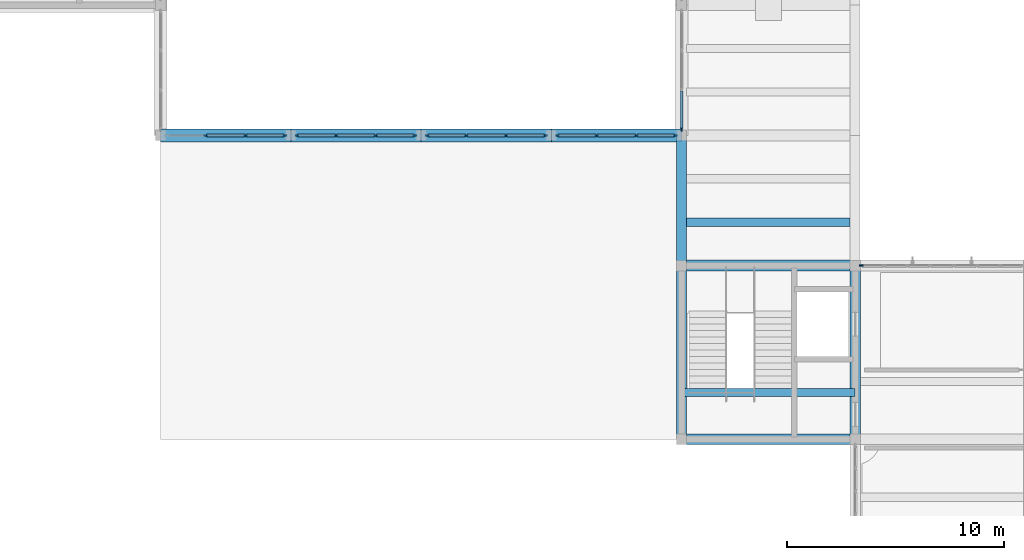
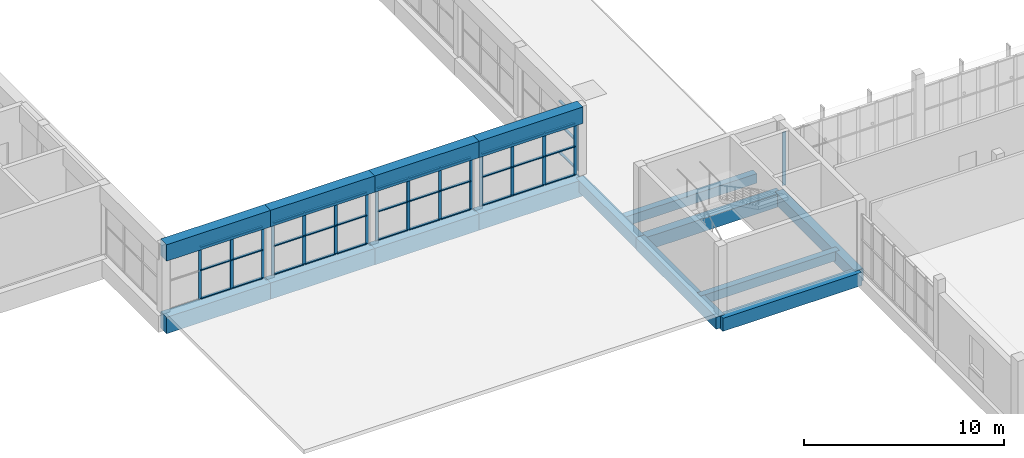
# One storey, part 6 of 70: 53 members, 15 beams, 6 elements without a shape of their own.
"""IFC4 building model written with IfcOpenShell, lengths in metres."""

from ifc_helpers import new_model, si_unit, direction, frame, origin, origin_2d, place, context, subcontext, project, spatial, rectangle, extrude, material, layer, layer_set, material_profile, profile_set, type_object, element, aggregate, save


model = new_model("IFC4")

# Units and contexts
model_context = context("Model", 3, precision=1e-05, world=origin(), true_north=direction((0.0, 1.0)))
body_context = subcontext(model_context, "Body", "Model", "MODEL_VIEW")
ifc_project = project(units=[si_unit("LENGTHUNIT", "METRE"), si_unit("AREAUNIT", "SQUARE_METRE"), si_unit("VOLUMEUNIT", "CUBIC_METRE"), si_unit("PLANEANGLEUNIT", "RADIAN"), si_unit("MASSUNIT", "GRAM", prefix="KILO")], contexts=[model_context])

# Site, building, storey
site_placement = place(None, origin())
site = spatial("IfcSite", under=ifc_project, at=site_placement, CompositionType="ELEMENT")
building_placement = place(site_placement, origin())
building = spatial("IfcBuilding", under=site, at=building_placement, Name="Solvane Community Centre", CompositionType="ELEMENT")
storey_placement = place(building_placement, frame((0.0, 0.0, 9.60009765625)))
storey = spatial("IfcBuildingStorey", under=building, at=storey_placement, Name="L02", CompositionType="ELEMENT", Elevation=9.60009765625)

# Curtain wall, member
ifc_material_1 = material(Name="Anodised bronze aluminium AW-6063 T6", Category="aluminium")
ifc_layer_1 = layer(ifc_material_1, 0.18994140625)
ifc_layer_set_1 = layer_set([ifc_layer_1], Name="Anodised bronze aluminium AW-6063 T6")
curtain_wall_type_1 = type_object("IfcCurtainWallType", Name="Boulevard Bronze Vision Curtain Wall [75x32dm]", PredefinedType="NOTDEFINED", material=ifc_layer_set_1)
curtain_wall_1_placement = place(storey_placement, origin())
curtain_wall_1 = element("IfcCurtainWall", 1, at=curtain_wall_1_placement, inside=storey, type_object=curtain_wall_type_1, Name="Curtain Wall CW-L02-683_300-192", PredefinedType="NOTDEFINED")
ifc_material_profile_1 = material_profile(ifc_material_1, rectangle(XDim=0.06005859375, YDim=0.18994140625, at=origin_2d()), Name="CW-M 60x190")
ifc_profile_set_1 = profile_set([ifc_material_profile_1], Name="Anodised bronze aluminium AW-6063 T6")
member_type_1 = type_object("IfcMemberType", Name="Boulevard Mullion 60x190", PredefinedType="MULLION", material=ifc_profile_set_1)
member_1_placement = place(storey_placement, frame((68.284912109375, 30.0, 0.0), z_axis=(0.0, 0.0, 1.0), x_axis=(0.0, 1.0, 0.0)))
member_1 = element("IfcMember", 2, at=member_1_placement, type_object=member_type_1, Name="CW02-75x32 mullion 1", PredefinedType="MULLION", context=body_context, shape_type="SweptSolid", body=[
    extrude(rectangle(XDim=0.06005859375, YDim=0.18994140625, at=origin_2d()), origin(), (0.0, 0.0, 1.0), 3.244873046875),
])
aggregate(curtain_wall_1, [member_1])

ifc_layer_2 = layer(ifc_material_1, 0.179931640625)
ifc_layer_set_2 = layer_set([ifc_layer_2], Name="Anodised bronze aluminium AW-6063 T6")
curtain_wall_type_2 = type_object("IfcCurtainWallType", Name="Hall Translucent Upper Curtain Wall [55x32dm]", PredefinedType="NOTDEFINED", material=ifc_layer_set_2)
curtain_wall_2_placement = place(storey_placement, origin())
curtain_wall_2 = element("IfcCurtainWall", 3, at=curtain_wall_2_placement, inside=storey, type_object=curtain_wall_type_2, Name="Curtain Wall CW-L02-600_363-136", PredefinedType="NOTDEFINED")
ifc_material_profile_2 = material_profile(ifc_material_1, rectangle(XDim=0.06005859375, YDim=0.179931640625, at=origin_2d()), Name="CW-M 60x180")
ifc_profile_set_2 = profile_set([ifc_material_profile_2], Name="Anodised bronze aluminium AW-6063 T6")
member_type_2 = type_object("IfcMemberType", Name="Hall Mullion 60x180", PredefinedType="MULLION", material=ifc_profile_set_2)
member_2_placement = place(storey_placement, frame((60.0, 36.284912109375, 0.0), z_axis=(0.0, 0.0, 1.0), x_axis=(-1.0, 0.0, 0.0)))
member_2 = element("IfcMember", 4, at=member_2_placement, type_object=member_type_2, Name="CW01-55x32 mullion 1", PredefinedType="MULLION", context=body_context, shape_type="SweptSolid", body=[
    extrude(rectangle(XDim=0.06005859375, YDim=0.179931640625, at=origin_2d()), origin(), (0.0, 0.0, 1.0), 3.184814453125),
])

# Curtain wall, members
curtain_wall_3_placement = place(storey_placement, origin())
curtain_wall_3 = element("IfcCurtainWall", 5, at=curtain_wall_3_placement, inside=storey, type_object=curtain_wall_type_2, Name="Curtain Wall CW-L02-597_360-150", PredefinedType="NOTDEFINED")
member_3_placement = place(storey_placement, frame((59.715087890625, 36.0, 0.0), z_axis=(0.0, 0.0, 1.0), x_axis=(0.0, -1.0, 0.0)))
member_3 = element("IfcMember", 6, at=member_3_placement, type_object=member_type_2, Name="CW01-55x32 mullion 1", PredefinedType="MULLION", context=body_context, shape_type="SweptSolid", body=[
    extrude(rectangle(XDim=0.06005859375, YDim=0.179931640625, at=origin_2d()), origin(), (0.0, 0.0, 1.0), 3.184814453125),
])
member_4_placement = place(storey_placement, frame((57.9150390625, 36.0, 0.0), z_axis=(0.0, 0.0, 1.0), x_axis=(0.0, -1.0, 0.0)))
member_4 = element("IfcMember", 7, at=member_4_placement, type_object=member_type_2, Name="CW01-55x32 mullion 2", PredefinedType="MULLION", context=body_context, shape_type="SweptSolid", body=[
    extrude(rectangle(XDim=0.06005859375, YDim=0.179931640625, at=origin_2d()), origin(), (0.0, 0.0, 1.0), 3.184814453125),
])
member_5_placement = place(storey_placement, frame((56.0849609375, 36.0, 0.0), z_axis=(0.0, 0.0, 1.0), x_axis=(0.0, -1.0, 0.0)))
member_5 = element("IfcMember", 8, at=member_5_placement, type_object=member_type_2, Name="CW01-55x32 mullion 3", PredefinedType="MULLION", context=body_context, shape_type="SweptSolid", body=[
    extrude(rectangle(XDim=0.06005859375, YDim=0.179931640625, at=origin_2d()), origin(), (0.0, 0.0, 1.0), 3.184814453125),
])
member_6_placement = place(storey_placement, frame((54.284912109375, 36.0, 0.0), z_axis=(0.0, 0.0, 1.0), x_axis=(0.0, -1.0, 0.0)))
member_6 = element("IfcMember", 9, at=member_6_placement, type_object=member_type_2, Name="CW01-55x32 mullion 4", PredefinedType="MULLION", context=body_context, shape_type="SweptSolid", body=[
    extrude(rectangle(XDim=0.06005859375, YDim=0.179931640625, at=origin_2d()), origin(), (0.0, 0.0, 1.0), 3.184814453125),
])

curtain_wall_4_placement = place(storey_placement, origin())
curtain_wall_4 = element("IfcCurtainWall", 10, at=curtain_wall_4_placement, inside=storey, type_object=curtain_wall_type_2, Name="Curtain Wall CW-L02-537_360-151", PredefinedType="NOTDEFINED")
member_7_placement = place(storey_placement, frame((53.715087890625, 36.0, 0.0), z_axis=(0.0, 0.0, 1.0), x_axis=(0.0, -1.0, 0.0)))
member_7 = element("IfcMember", 11, at=member_7_placement, type_object=member_type_2, Name="CW01-55x32 mullion 1", PredefinedType="MULLION", context=body_context, shape_type="SweptSolid", body=[
    extrude(rectangle(XDim=0.06005859375, YDim=0.179931640625, at=origin_2d()), origin(), (0.0, 0.0, 1.0), 3.184814453125),
])
member_8_placement = place(storey_placement, frame((51.9150390625, 36.0, 0.0), z_axis=(0.0, 0.0, 1.0), x_axis=(0.0, -1.0, 0.0)))
member_8 = element("IfcMember", 12, at=member_8_placement, type_object=member_type_2, Name="CW01-55x32 mullion 2", PredefinedType="MULLION", context=body_context, shape_type="SweptSolid", body=[
    extrude(rectangle(XDim=0.06005859375, YDim=0.179931640625, at=origin_2d()), origin(), (0.0, 0.0, 1.0), 3.184814453125),
])
member_9_placement = place(storey_placement, frame((50.0849609375, 36.0, 0.0), z_axis=(0.0, 0.0, 1.0), x_axis=(0.0, -1.0, 0.0)))
member_9 = element("IfcMember", 13, at=member_9_placement, type_object=member_type_2, Name="CW01-55x32 mullion 3", PredefinedType="MULLION", context=body_context, shape_type="SweptSolid", body=[
    extrude(rectangle(XDim=0.06005859375, YDim=0.179931640625, at=origin_2d()), origin(), (0.0, 0.0, 1.0), 3.184814453125),
])
member_10_placement = place(storey_placement, frame((48.284912109375, 36.0, 0.0), z_axis=(0.0, 0.0, 1.0), x_axis=(0.0, -1.0, 0.0)))
member_10 = element("IfcMember", 14, at=member_10_placement, type_object=member_type_2, Name="CW01-55x32 mullion 4", PredefinedType="MULLION", context=body_context, shape_type="SweptSolid", body=[
    extrude(rectangle(XDim=0.06005859375, YDim=0.179931640625, at=origin_2d()), origin(), (0.0, 0.0, 1.0), 3.184814453125),
])

curtain_wall_5_placement = place(storey_placement, origin())
curtain_wall_5 = element("IfcCurtainWall", 15, at=curtain_wall_5_placement, inside=storey, type_object=curtain_wall_type_2, Name="Curtain Wall CW-L02-477_360-152", PredefinedType="NOTDEFINED")
member_11_placement = place(storey_placement, frame((47.715087890625, 36.0, 0.0), z_axis=(0.0, 0.0, 1.0), x_axis=(0.0, -1.0, 0.0)))
member_11 = element("IfcMember", 16, at=member_11_placement, type_object=member_type_2, Name="CW01-55x32 mullion 1", PredefinedType="MULLION", context=body_context, shape_type="SweptSolid", body=[
    extrude(rectangle(XDim=0.06005859375, YDim=0.179931640625, at=origin_2d()), origin(), (0.0, 0.0, 1.0), 3.184814453125),
])
member_12_placement = place(storey_placement, frame((45.9150390625, 36.0, 0.0), z_axis=(0.0, 0.0, 1.0), x_axis=(0.0, -1.0, 0.0)))
member_12 = element("IfcMember", 17, at=member_12_placement, type_object=member_type_2, Name="CW01-55x32 mullion 2", PredefinedType="MULLION", context=body_context, shape_type="SweptSolid", body=[
    extrude(rectangle(XDim=0.06005859375, YDim=0.179931640625, at=origin_2d()), origin(), (0.0, 0.0, 1.0), 3.184814453125),
])
member_13_placement = place(storey_placement, frame((44.0849609375, 36.0, 0.0), z_axis=(0.0, 0.0, 1.0), x_axis=(0.0, -1.0, 0.0)))
member_13 = element("IfcMember", 18, at=member_13_placement, type_object=member_type_2, Name="CW01-55x32 mullion 3", PredefinedType="MULLION", context=body_context, shape_type="SweptSolid", body=[
    extrude(rectangle(XDim=0.06005859375, YDim=0.179931640625, at=origin_2d()), origin(), (0.0, 0.0, 1.0), 3.184814453125),
])
member_14_placement = place(storey_placement, frame((42.284912109375, 36.0, 0.0), z_axis=(0.0, 0.0, 1.0), x_axis=(0.0, -1.0, 0.0)))
member_14 = element("IfcMember", 19, at=member_14_placement, type_object=member_type_2, Name="CW01-55x32 mullion 4", PredefinedType="MULLION", context=body_context, shape_type="SweptSolid", body=[
    extrude(rectangle(XDim=0.06005859375, YDim=0.179931640625, at=origin_2d()), origin(), (0.0, 0.0, 1.0), 3.184814453125),
])

curtain_wall_6_placement = place(storey_placement, origin())
curtain_wall_6 = element("IfcCurtainWall", 20, at=curtain_wall_6_placement, inside=storey, type_object=curtain_wall_type_2, Name="Curtain Wall CW-L02-417_360-153", PredefinedType="NOTDEFINED")
member_15_placement = place(storey_placement, frame((41.715087890625, 36.0, 0.0), z_axis=(0.0, 0.0, 1.0), x_axis=(0.0, -1.0, 0.0)))
member_15 = element("IfcMember", 21, at=member_15_placement, type_object=member_type_2, Name="CW01-55x32 mullion 1", PredefinedType="MULLION", context=body_context, shape_type="SweptSolid", body=[
    extrude(rectangle(XDim=0.06005859375, YDim=0.179931640625, at=origin_2d()), origin(), (0.0, 0.0, 1.0), 3.184814453125),
])
member_16_placement = place(storey_placement, frame((39.9150390625, 36.0, 0.0), z_axis=(0.0, 0.0, 1.0), x_axis=(0.0, -1.0, 0.0)))
member_16 = element("IfcMember", 22, at=member_16_placement, type_object=member_type_2, Name="CW01-55x32 mullion 2", PredefinedType="MULLION", context=body_context, shape_type="SweptSolid", body=[
    extrude(rectangle(XDim=0.06005859375, YDim=0.179931640625, at=origin_2d()), origin(), (0.0, 0.0, 1.0), 3.184814453125),
])
member_17_placement = place(storey_placement, frame((38.0849609375, 36.0, 0.0), z_axis=(0.0, 0.0, 1.0), x_axis=(0.0, -1.0, 0.0)))
member_17 = element("IfcMember", 23, at=member_17_placement, type_object=member_type_2, Name="CW01-55x32 mullion 3", PredefinedType="MULLION", context=body_context, shape_type="SweptSolid", body=[
    extrude(rectangle(XDim=0.06005859375, YDim=0.179931640625, at=origin_2d()), origin(), (0.0, 0.0, 1.0), 3.184814453125),
])

# Member
ifc_material_profile_3 = material_profile(ifc_material_1, rectangle(XDim=0.139892578125, YDim=0.06005859375, at=origin_2d()), Name="CW-T 60x140")
ifc_profile_set_3 = profile_set([ifc_material_profile_3], Name="Anodised bronze aluminium AW-6063 T6")
member_type_3 = type_object("IfcMemberType", Name="Hall Transom 60x140", PredefinedType="USERDEFINED", material=ifc_profile_set_3)
member_18_placement = place(storey_placement, frame((60.0, 36.31494140625, 0.02978515625), z_axis=(0.0, 1.0, 0.0), x_axis=(-1.0, 0.0, 0.0)))
member_18 = element("IfcMember", 24, at=member_18_placement, type_object=member_type_3, Name="CW01-55x32 transom 1.1", ObjectType="TRANSOM", PredefinedType="USERDEFINED", context=body_context, shape_type="SweptSolid", body=[
    extrude(rectangle(XDim=0.139892578125, YDim=0.06005859375, at=origin_2d()), origin(), (0.0, 0.0, 1.0), 1.739990234375),
])

member_19_placement = place(storey_placement, frame((60.0, 36.31494140625, 1.751953125), z_axis=(0.0, 1.0, 0.0), x_axis=(-1.0, 0.0, 0.0)))
member_19 = element("IfcMember", 25, at=member_19_placement, type_object=member_type_3, Name="CW01-55x32 transom 1.2", ObjectType="TRANSOM", PredefinedType="USERDEFINED", context=body_context, shape_type="SweptSolid", body=[
    extrude(rectangle(XDim=0.139892578125, YDim=0.06005859375, at=origin_2d()), origin(), (0.0, 0.0, 1.0), 1.739990234375),
])

member_20_placement = place(storey_placement, frame((60.0, 36.31494140625, 3.15478515625), z_axis=(0.0, 1.0, 0.0), x_axis=(-1.0, 0.0, 0.0)))
member_20 = element("IfcMember", 26, at=member_20_placement, type_object=member_type_3, Name="CW01-55x32 transom 1.3", ObjectType="TRANSOM", PredefinedType="USERDEFINED", context=body_context, shape_type="SweptSolid", body=[
    extrude(rectangle(XDim=0.139892578125, YDim=0.06005859375, at=origin_2d()), origin(), (0.0, 0.0, 1.0), 1.739990234375),
])

aggregate(curtain_wall_2, [member_2, member_18, member_19, member_20])

member_21_placement = place(storey_placement, frame((59.68505859375, 36.0, 0.02978515625), z_axis=(-1.0, 0.0, 0.0), x_axis=(0.0, -1.0, 0.0)))
member_21 = element("IfcMember", 27, at=member_21_placement, type_object=member_type_3, Name="CW01-55x32 transom 1.1", ObjectType="TRANSOM", PredefinedType="USERDEFINED", context=body_context, shape_type="SweptSolid", body=[
    extrude(rectangle(XDim=0.139892578125, YDim=0.06005859375, at=origin_2d()), origin(), (0.0, 0.0, 1.0), 1.739990234375),
])

member_22_placement = place(storey_placement, frame((59.68505859375, 36.0, 1.751953125), z_axis=(-1.0, 0.0, 0.0), x_axis=(0.0, -1.0, 0.0)))
member_22 = element("IfcMember", 28, at=member_22_placement, type_object=member_type_3, Name="CW01-55x32 transom 1.2", ObjectType="TRANSOM", PredefinedType="USERDEFINED", context=body_context, shape_type="SweptSolid", body=[
    extrude(rectangle(XDim=0.139892578125, YDim=0.06005859375, at=origin_2d()), origin(), (0.0, 0.0, 1.0), 1.739990234375),
])

member_23_placement = place(storey_placement, frame((59.68505859375, 36.0, 3.15478515625), z_axis=(-1.0, 0.0, 0.0), x_axis=(0.0, -1.0, 0.0)))
member_23 = element("IfcMember", 29, at=member_23_placement, type_object=member_type_3, Name="CW01-55x32 transom 1.3", ObjectType="TRANSOM", PredefinedType="USERDEFINED", context=body_context, shape_type="SweptSolid", body=[
    extrude(rectangle(XDim=0.139892578125, YDim=0.06005859375, at=origin_2d()), origin(), (0.0, 0.0, 1.0), 1.739990234375),
])

member_24_placement = place(storey_placement, frame((57.885009765625, 36.0, 0.02978515625), z_axis=(-1.0, 0.0, 0.0), x_axis=(0.0, -1.0, 0.0)))
member_24 = element("IfcMember", 30, at=member_24_placement, type_object=member_type_3, Name="CW01-55x32 transom 2.1", ObjectType="TRANSOM", PredefinedType="USERDEFINED", context=body_context, shape_type="SweptSolid", body=[
    extrude(rectangle(XDim=0.139892578125, YDim=0.06005859375, at=origin_2d()), origin(), (0.0, 0.0, 1.0), 1.77001953125),
])

member_25_placement = place(storey_placement, frame((57.885009765625, 36.0, 1.751953125), z_axis=(-1.0, 0.0, 0.0), x_axis=(0.0, -1.0, 0.0)))
member_25 = element("IfcMember", 31, at=member_25_placement, type_object=member_type_3, Name="CW01-55x32 transom 2.2", ObjectType="TRANSOM", PredefinedType="USERDEFINED", context=body_context, shape_type="SweptSolid", body=[
    extrude(rectangle(XDim=0.139892578125, YDim=0.06005859375, at=origin_2d()), origin(), (0.0, 0.0, 1.0), 1.77001953125),
])

member_26_placement = place(storey_placement, frame((57.885009765625, 36.0, 3.15478515625), z_axis=(-1.0, 0.0, 0.0), x_axis=(0.0, -1.0, 0.0)))
member_26 = element("IfcMember", 32, at=member_26_placement, type_object=member_type_3, Name="CW01-55x32 transom 2.3", ObjectType="TRANSOM", PredefinedType="USERDEFINED", context=body_context, shape_type="SweptSolid", body=[
    extrude(rectangle(XDim=0.139892578125, YDim=0.06005859375, at=origin_2d()), origin(), (0.0, 0.0, 1.0), 1.77001953125),
])

member_27_placement = place(storey_placement, frame((56.054931640625, 36.0, 0.02978515625), z_axis=(-1.0, 0.0, 0.0), x_axis=(0.0, -1.0, 0.0)))
member_27 = element("IfcMember", 33, at=member_27_placement, type_object=member_type_3, Name="CW01-55x32 transom 3.1", ObjectType="TRANSOM", PredefinedType="USERDEFINED", context=body_context, shape_type="SweptSolid", body=[
    extrude(rectangle(XDim=0.139892578125, YDim=0.06005859375, at=origin_2d()), origin(), (0.0, 0.0, 1.0), 1.739990234375),
])

member_28_placement = place(storey_placement, frame((56.054931640625, 36.0, 1.751953125), z_axis=(-1.0, 0.0, 0.0), x_axis=(0.0, -1.0, 0.0)))
member_28 = element("IfcMember", 34, at=member_28_placement, type_object=member_type_3, Name="CW01-55x32 transom 3.2", ObjectType="TRANSOM", PredefinedType="USERDEFINED", context=body_context, shape_type="SweptSolid", body=[
    extrude(rectangle(XDim=0.139892578125, YDim=0.06005859375, at=origin_2d()), origin(), (0.0, 0.0, 1.0), 1.739990234375),
])

member_29_placement = place(storey_placement, frame((56.054931640625, 36.0, 3.15478515625), z_axis=(-1.0, 0.0, 0.0), x_axis=(0.0, -1.0, 0.0)))
member_29 = element("IfcMember", 35, at=member_29_placement, type_object=member_type_3, Name="CW01-55x32 transom 3.3", ObjectType="TRANSOM", PredefinedType="USERDEFINED", context=body_context, shape_type="SweptSolid", body=[
    extrude(rectangle(XDim=0.139892578125, YDim=0.06005859375, at=origin_2d()), origin(), (0.0, 0.0, 1.0), 1.739990234375),
])

aggregate(curtain_wall_3, [member_3, member_4, member_5, member_6, member_21, member_22, member_23, member_24, member_25, member_26, member_27, member_28, member_29])

member_30_placement = place(storey_placement, frame((53.68505859375, 36.0, 0.02978515625), z_axis=(-1.0, 0.0, 0.0), x_axis=(0.0, -1.0, 0.0)))
member_30 = element("IfcMember", 36, at=member_30_placement, type_object=member_type_3, Name="CW01-55x32 transom 1.1", ObjectType="TRANSOM", PredefinedType="USERDEFINED", context=body_context, shape_type="SweptSolid", body=[
    extrude(rectangle(XDim=0.139892578125, YDim=0.06005859375, at=origin_2d()), origin(), (0.0, 0.0, 1.0), 1.739990234375),
])

member_31_placement = place(storey_placement, frame((53.68505859375, 36.0, 1.751953125), z_axis=(-1.0, 0.0, 0.0), x_axis=(0.0, -1.0, 0.0)))
member_31 = element("IfcMember", 37, at=member_31_placement, type_object=member_type_3, Name="CW01-55x32 transom 1.2", ObjectType="TRANSOM", PredefinedType="USERDEFINED", context=body_context, shape_type="SweptSolid", body=[
    extrude(rectangle(XDim=0.139892578125, YDim=0.06005859375, at=origin_2d()), origin(), (0.0, 0.0, 1.0), 1.739990234375),
])

member_32_placement = place(storey_placement, frame((53.68505859375, 36.0, 3.15478515625), z_axis=(-1.0, 0.0, 0.0), x_axis=(0.0, -1.0, 0.0)))
member_32 = element("IfcMember", 38, at=member_32_placement, type_object=member_type_3, Name="CW01-55x32 transom 1.3", ObjectType="TRANSOM", PredefinedType="USERDEFINED", context=body_context, shape_type="SweptSolid", body=[
    extrude(rectangle(XDim=0.139892578125, YDim=0.06005859375, at=origin_2d()), origin(), (0.0, 0.0, 1.0), 1.739990234375),
])

member_33_placement = place(storey_placement, frame((51.885009765625, 36.0, 0.02978515625), z_axis=(-1.0, 0.0, 0.0), x_axis=(0.0, -1.0, 0.0)))
member_33 = element("IfcMember", 39, at=member_33_placement, type_object=member_type_3, Name="CW01-55x32 transom 2.1", ObjectType="TRANSOM", PredefinedType="USERDEFINED", context=body_context, shape_type="SweptSolid", body=[
    extrude(rectangle(XDim=0.139892578125, YDim=0.06005859375, at=origin_2d()), origin(), (0.0, 0.0, 1.0), 1.77001953125),
])

member_34_placement = place(storey_placement, frame((51.885009765625, 36.0, 1.751953125), z_axis=(-1.0, 0.0, 0.0), x_axis=(0.0, -1.0, 0.0)))
member_34 = element("IfcMember", 40, at=member_34_placement, type_object=member_type_3, Name="CW01-55x32 transom 2.2", ObjectType="TRANSOM", PredefinedType="USERDEFINED", context=body_context, shape_type="SweptSolid", body=[
    extrude(rectangle(XDim=0.139892578125, YDim=0.06005859375, at=origin_2d()), origin(), (0.0, 0.0, 1.0), 1.77001953125),
])

member_35_placement = place(storey_placement, frame((51.885009765625, 36.0, 3.15478515625), z_axis=(-1.0, 0.0, 0.0), x_axis=(0.0, -1.0, 0.0)))
member_35 = element("IfcMember", 41, at=member_35_placement, type_object=member_type_3, Name="CW01-55x32 transom 2.3", ObjectType="TRANSOM", PredefinedType="USERDEFINED", context=body_context, shape_type="SweptSolid", body=[
    extrude(rectangle(XDim=0.139892578125, YDim=0.06005859375, at=origin_2d()), origin(), (0.0, 0.0, 1.0), 1.77001953125),
])

member_36_placement = place(storey_placement, frame((50.054931640625, 36.0, 0.02978515625), z_axis=(-1.0, 0.0, 0.0), x_axis=(0.0, -1.0, 0.0)))
member_36 = element("IfcMember", 42, at=member_36_placement, type_object=member_type_3, Name="CW01-55x32 transom 3.1", ObjectType="TRANSOM", PredefinedType="USERDEFINED", context=body_context, shape_type="SweptSolid", body=[
    extrude(rectangle(XDim=0.139892578125, YDim=0.06005859375, at=origin_2d()), origin(), (0.0, 0.0, 1.0), 1.739990234375),
])

member_37_placement = place(storey_placement, frame((50.054931640625, 36.0, 1.751953125), z_axis=(-1.0, 0.0, 0.0), x_axis=(0.0, -1.0, 0.0)))
member_37 = element("IfcMember", 43, at=member_37_placement, type_object=member_type_3, Name="CW01-55x32 transom 3.2", ObjectType="TRANSOM", PredefinedType="USERDEFINED", context=body_context, shape_type="SweptSolid", body=[
    extrude(rectangle(XDim=0.139892578125, YDim=0.06005859375, at=origin_2d()), origin(), (0.0, 0.0, 1.0), 1.739990234375),
])

member_38_placement = place(storey_placement, frame((50.054931640625, 36.0, 3.15478515625), z_axis=(-1.0, 0.0, 0.0), x_axis=(0.0, -1.0, 0.0)))
member_38 = element("IfcMember", 44, at=member_38_placement, type_object=member_type_3, Name="CW01-55x32 transom 3.3", ObjectType="TRANSOM", PredefinedType="USERDEFINED", context=body_context, shape_type="SweptSolid", body=[
    extrude(rectangle(XDim=0.139892578125, YDim=0.06005859375, at=origin_2d()), origin(), (0.0, 0.0, 1.0), 1.739990234375),
])

aggregate(curtain_wall_4, [member_7, member_8, member_9, member_10, member_30, member_31, member_32, member_33, member_34, member_35, member_36, member_37, member_38])

member_39_placement = place(storey_placement, frame((47.68505859375, 36.0, 0.02978515625), z_axis=(-1.0, 0.0, 0.0), x_axis=(0.0, -1.0, 0.0)))
member_39 = element("IfcMember", 45, at=member_39_placement, type_object=member_type_3, Name="CW01-55x32 transom 1.1", ObjectType="TRANSOM", PredefinedType="USERDEFINED", context=body_context, shape_type="SweptSolid", body=[
    extrude(rectangle(XDim=0.139892578125, YDim=0.06005859375, at=origin_2d()), origin(), (0.0, 0.0, 1.0), 1.739990234375),
])

member_40_placement = place(storey_placement, frame((47.68505859375, 36.0, 1.751953125), z_axis=(-1.0, 0.0, 0.0), x_axis=(0.0, -1.0, 0.0)))
member_40 = element("IfcMember", 46, at=member_40_placement, type_object=member_type_3, Name="CW01-55x32 transom 1.2", ObjectType="TRANSOM", PredefinedType="USERDEFINED", context=body_context, shape_type="SweptSolid", body=[
    extrude(rectangle(XDim=0.139892578125, YDim=0.06005859375, at=origin_2d()), origin(), (0.0, 0.0, 1.0), 1.739990234375),
])

member_41_placement = place(storey_placement, frame((47.68505859375, 36.0, 3.15478515625), z_axis=(-1.0, 0.0, 0.0), x_axis=(0.0, -1.0, 0.0)))
member_41 = element("IfcMember", 47, at=member_41_placement, type_object=member_type_3, Name="CW01-55x32 transom 1.3", ObjectType="TRANSOM", PredefinedType="USERDEFINED", context=body_context, shape_type="SweptSolid", body=[
    extrude(rectangle(XDim=0.139892578125, YDim=0.06005859375, at=origin_2d()), origin(), (0.0, 0.0, 1.0), 1.739990234375),
])

member_42_placement = place(storey_placement, frame((45.885009765625, 36.0, 0.02978515625), z_axis=(-1.0, 0.0, 0.0), x_axis=(0.0, -1.0, 0.0)))
member_42 = element("IfcMember", 48, at=member_42_placement, type_object=member_type_3, Name="CW01-55x32 transom 2.1", ObjectType="TRANSOM", PredefinedType="USERDEFINED", context=body_context, shape_type="SweptSolid", body=[
    extrude(rectangle(XDim=0.139892578125, YDim=0.06005859375, at=origin_2d()), origin(), (0.0, 0.0, 1.0), 1.77001953125),
])

member_43_placement = place(storey_placement, frame((45.885009765625, 36.0, 1.751953125), z_axis=(-1.0, 0.0, 0.0), x_axis=(0.0, -1.0, 0.0)))
member_43 = element("IfcMember", 49, at=member_43_placement, type_object=member_type_3, Name="CW01-55x32 transom 2.2", ObjectType="TRANSOM", PredefinedType="USERDEFINED", context=body_context, shape_type="SweptSolid", body=[
    extrude(rectangle(XDim=0.139892578125, YDim=0.06005859375, at=origin_2d()), origin(), (0.0, 0.0, 1.0), 1.77001953125),
])

member_44_placement = place(storey_placement, frame((45.885009765625, 36.0, 3.15478515625), z_axis=(-1.0, 0.0, 0.0), x_axis=(0.0, -1.0, 0.0)))
member_44 = element("IfcMember", 50, at=member_44_placement, type_object=member_type_3, Name="CW01-55x32 transom 2.3", ObjectType="TRANSOM", PredefinedType="USERDEFINED", context=body_context, shape_type="SweptSolid", body=[
    extrude(rectangle(XDim=0.139892578125, YDim=0.06005859375, at=origin_2d()), origin(), (0.0, 0.0, 1.0), 1.77001953125),
])

member_45_placement = place(storey_placement, frame((44.054931640625, 36.0, 0.02978515625), z_axis=(-1.0, 0.0, 0.0), x_axis=(0.0, -1.0, 0.0)))
member_45 = element("IfcMember", 51, at=member_45_placement, type_object=member_type_3, Name="CW01-55x32 transom 3.1", ObjectType="TRANSOM", PredefinedType="USERDEFINED", context=body_context, shape_type="SweptSolid", body=[
    extrude(rectangle(XDim=0.139892578125, YDim=0.06005859375, at=origin_2d()), origin(), (0.0, 0.0, 1.0), 1.739990234375),
])

member_46_placement = place(storey_placement, frame((44.054931640625, 36.0, 1.751953125), z_axis=(-1.0, 0.0, 0.0), x_axis=(0.0, -1.0, 0.0)))
member_46 = element("IfcMember", 52, at=member_46_placement, type_object=member_type_3, Name="CW01-55x32 transom 3.2", ObjectType="TRANSOM", PredefinedType="USERDEFINED", context=body_context, shape_type="SweptSolid", body=[
    extrude(rectangle(XDim=0.139892578125, YDim=0.06005859375, at=origin_2d()), origin(), (0.0, 0.0, 1.0), 1.739990234375),
])

member_47_placement = place(storey_placement, frame((44.054931640625, 36.0, 3.15478515625), z_axis=(-1.0, 0.0, 0.0), x_axis=(0.0, -1.0, 0.0)))
member_47 = element("IfcMember", 53, at=member_47_placement, type_object=member_type_3, Name="CW01-55x32 transom 3.3", ObjectType="TRANSOM", PredefinedType="USERDEFINED", context=body_context, shape_type="SweptSolid", body=[
    extrude(rectangle(XDim=0.139892578125, YDim=0.06005859375, at=origin_2d()), origin(), (0.0, 0.0, 1.0), 1.739990234375),
])

aggregate(curtain_wall_5, [member_11, member_12, member_13, member_14, member_39, member_40, member_41, member_42, member_43, member_44, member_45, member_46, member_47])

member_48_placement = place(storey_placement, frame((41.68505859375, 36.0, 0.02978515625), z_axis=(-1.0, 0.0, 0.0), x_axis=(0.0, -1.0, 0.0)))
member_48 = element("IfcMember", 54, at=member_48_placement, type_object=member_type_3, Name="CW01-55x32 transom 1.1", ObjectType="TRANSOM", PredefinedType="USERDEFINED", context=body_context, shape_type="SweptSolid", body=[
    extrude(rectangle(XDim=0.139892578125, YDim=0.06005859375, at=origin_2d()), origin(), (0.0, 0.0, 1.0), 1.739990234375),
])

member_49_placement = place(storey_placement, frame((41.68505859375, 36.0, 1.751953125), z_axis=(-1.0, 0.0, 0.0), x_axis=(0.0, -1.0, 0.0)))
member_49 = element("IfcMember", 55, at=member_49_placement, type_object=member_type_3, Name="CW01-55x32 transom 1.2", ObjectType="TRANSOM", PredefinedType="USERDEFINED", context=body_context, shape_type="SweptSolid", body=[
    extrude(rectangle(XDim=0.139892578125, YDim=0.06005859375, at=origin_2d()), origin(), (0.0, 0.0, 1.0), 1.739990234375),
])

member_50_placement = place(storey_placement, frame((41.68505859375, 36.0, 3.15478515625), z_axis=(-1.0, 0.0, 0.0), x_axis=(0.0, -1.0, 0.0)))
member_50 = element("IfcMember", 56, at=member_50_placement, type_object=member_type_3, Name="CW01-55x32 transom 1.3", ObjectType="TRANSOM", PredefinedType="USERDEFINED", context=body_context, shape_type="SweptSolid", body=[
    extrude(rectangle(XDim=0.139892578125, YDim=0.06005859375, at=origin_2d()), origin(), (0.0, 0.0, 1.0), 1.739990234375),
])

member_51_placement = place(storey_placement, frame((39.885009765625, 36.0, 0.02978515625), z_axis=(-1.0, 0.0, 0.0), x_axis=(0.0, -1.0, 0.0)))
member_51 = element("IfcMember", 57, at=member_51_placement, type_object=member_type_3, Name="CW01-55x32 transom 2.1", ObjectType="TRANSOM", PredefinedType="USERDEFINED", context=body_context, shape_type="SweptSolid", body=[
    extrude(rectangle(XDim=0.139892578125, YDim=0.06005859375, at=origin_2d()), origin(), (0.0, 0.0, 1.0), 1.77001953125),
])

member_52_placement = place(storey_placement, frame((39.885009765625, 36.0, 1.751953125), z_axis=(-1.0, 0.0, 0.0), x_axis=(0.0, -1.0, 0.0)))
member_52 = element("IfcMember", 58, at=member_52_placement, type_object=member_type_3, Name="CW01-55x32 transom 2.2", ObjectType="TRANSOM", PredefinedType="USERDEFINED", context=body_context, shape_type="SweptSolid", body=[
    extrude(rectangle(XDim=0.139892578125, YDim=0.06005859375, at=origin_2d()), origin(), (0.0, 0.0, 1.0), 1.77001953125),
])

member_53_placement = place(storey_placement, frame((39.885009765625, 36.0, 3.15478515625), z_axis=(-1.0, 0.0, 0.0), x_axis=(0.0, -1.0, 0.0)))
member_53 = element("IfcMember", 59, at=member_53_placement, type_object=member_type_3, Name="CW01-55x32 transom 2.3", ObjectType="TRANSOM", PredefinedType="USERDEFINED", context=body_context, shape_type="SweptSolid", body=[
    extrude(rectangle(XDim=0.139892578125, YDim=0.06005859375, at=origin_2d()), origin(), (0.0, 0.0, 1.0), 1.77001953125),
])

aggregate(curtain_wall_6, [member_15, member_16, member_17, member_48, member_49, member_50, member_51, member_52, member_53])

# Beams
ifc_material_2 = material(Name="Concrete C35/45", Category="concrete")
ifc_material_profile_4 = material_profile(ifc_material_2, rectangle(XDim=0.47998046875, YDim=0.739990234375, at=origin_2d()), Name="RC 480x740")
ifc_profile_set_4 = profile_set([ifc_material_profile_4], Name="Concrete C35/45")
beam_type_1 = type_object("IfcBeamType", Name="RC Bay Beam 480x740", PredefinedType="BEAM", material=ifc_profile_set_4)
for number, where, z_axis, x_axis, name in (
    (60, (60.0, 22.0, -0.590087890625), (0.0, 1.0, 0.0), (-1.0, 0.0, 0.0), "Beam BM-L02-600_220-600_300"),
    (61, (68.0, 22.0, -0.590087890625), (0.0, 1.0, 0.0), (-1.0, 0.0, 0.0), "Beam BM-L02-680_220-680_300"),
):
    element("IfcBeam", number, at=place(storey_placement, frame(where, z_axis=z_axis, x_axis=x_axis)), inside=storey, type_object=beam_type_1, Name=name, PredefinedType="BEAM", context=body_context, shape_type="SweptSolid", body=[
        extrude(rectangle(XDim=0.47998046875, YDim=0.739990234375, at=origin_2d()), origin(), (0.0, 0.0, 1.0), 8.0),
    ])
ifc_material_profile_5 = material_profile(ifc_material_2, rectangle(XDim=0.4599609375, YDim=0.719970703125, at=origin_2d()), Name="RC 460x720")
ifc_profile_set_5 = profile_set([ifc_material_profile_5], Name="Concrete C35/45")
beam_type_2 = type_object("IfcBeamType", Name="RC Cloister Beam 460x720", PredefinedType="BEAM", material=ifc_profile_set_5)
beam_1_placement = place(storey_placement, frame((60.0, 30.0, -0.580078125), z_axis=(0.0, 1.0, 0.0), x_axis=(-1.0, 0.0, 0.0)))
element("IfcBeam", 62, at=beam_1_placement, inside=storey, type_object=beam_type_2, Name="Beam BM-L02-600_300-600_360", PredefinedType="BEAM", context=body_context, shape_type="SweptSolid", body=[
    extrude(rectangle(XDim=0.4599609375, YDim=0.719970703125, at=origin_2d()), origin(), (0.0, 0.0, 1.0), 6.0),
])
ifc_material_profile_6 = material_profile(ifc_material_2, rectangle(XDim=0.5, YDim=0.800048828125, at=origin_2d()), Name="RC 500x800")
ifc_profile_set_6 = profile_set([ifc_material_profile_6], Name="Concrete C35/45")
beam_type_3 = type_object("IfcBeamType", Name="RC Primary Girder 500x800", PredefinedType="USERDEFINED", material=ifc_profile_set_6)
for number, where, z_axis, x_axis, name in (
    (63, (60.0, 22.0, -0.6201171875), (1.0, 0.0, 0.0), (0.0, 1.0, 0.0), "Beam BM-L02-600_220-680_220"),
    (64, (60.0, 30.0, -0.6201171875), (1.0, 0.0, 0.0), (0.0, 1.0, 0.0), "Beam BM-L02-600_300-680_300"),
):
    element("IfcBeam", number, at=place(storey_placement, frame(where, z_axis=z_axis, x_axis=x_axis)), inside=storey, type_object=beam_type_3, Name=name, ObjectType="GIRDER", PredefinedType="USERDEFINED", context=body_context, shape_type="SweptSolid", body=[
        extrude(rectangle(XDim=0.5, YDim=0.800048828125, at=origin_2d()), origin(), (0.0, 0.0, 1.0), 8.0),
    ])
ifc_material_profile_7 = material_profile(ifc_material_2, rectangle(XDim=0.3798828125, YDim=0.580078125, at=origin_2d()), Name="RC 380x580")
ifc_profile_set_7 = profile_set([ifc_material_profile_7], Name="Concrete C35/45")
beam_type_4 = type_object("IfcBeamType", Name="RC Short Joist 380x580", PredefinedType="JOIST", material=ifc_profile_set_7)
beam_2_placement = place(storey_placement, frame((60.239990234375, 32.0, -0.510009765625), z_axis=(1.0, 0.0, 0.0), x_axis=(0.0, 1.0, 0.0)))
element("IfcBeam", 65, at=beam_2_placement, inside=storey, type_object=beam_type_4, Name="Beam BM-L02-602_320-678_320", PredefinedType="JOIST", context=body_context, shape_type="SweptSolid", body=[
    extrude(rectangle(XDim=0.3798828125, YDim=0.580078125, at=origin_2d()), origin(), (0.0, 0.0, 1.0), 7.52001953125),
])
ifc_material_profile_8 = material_profile(ifc_material_2, rectangle(XDim=0.360107421875, YDim=0.56005859375, at=origin_2d()), Name="RC 360x560")
ifc_profile_set_8 = profile_set([ifc_material_profile_8], Name="Concrete C35/45")
beam_type_5 = type_object("IfcBeamType", Name="RC Terrace Joist 360x560", PredefinedType="JOIST", material=ifc_profile_set_8)
beam_3_placement = place(storey_placement, frame((60.0, 24.14990234375, -0.5), z_axis=(1.0, 0.0, 0.0), x_axis=(0.0, 1.0, 0.0)))
element("IfcBeam", 66, at=beam_3_placement, inside=storey, type_object=beam_type_5, Name="Beam BM-L02-600_242-680_242", PredefinedType="JOIST", context=body_context, shape_type="SweptSolid", body=[
    extrude(rectangle(XDim=0.360107421875, YDim=0.56005859375, at=origin_2d()), origin(), (0.0, 0.0, 1.0), 8.0),
])
ifc_material_profile_9 = material_profile(ifc_material_2, rectangle(XDim=0.60009765625, YDim=1.0, at=origin_2d()), Name="RC 600x1000")
ifc_profile_set_9 = profile_set([ifc_material_profile_9], Name="Concrete C35/45")
beam_type_6 = type_object("IfcBeamType", Name="RC Vault Thrust Ring Girder 600x1000", PredefinedType="USERDEFINED", material=ifc_profile_set_9)
for number, where, z_axis, x_axis, name in (
    (67, (36.0, 36.0, -0.72021484375), (1.0, 0.0, 0.0), (0.0, 1.0, 0.0), "Beam BM-L02-360_360-420_360"),
    (68, (42.0, 36.0, -0.72021484375), (1.0, 0.0, 0.0), (0.0, 1.0, 0.0), "Beam BM-L02-420_360-480_360"),
    (69, (48.0, 36.0, -0.72021484375), (1.0, 0.0, 0.0), (0.0, 1.0, 0.0), "Beam BM-L02-480_360-540_360"),
    (70, (54.0, 36.0, -0.72021484375), (1.0, 0.0, 0.0), (0.0, 1.0, 0.0), "Beam BM-L02-540_360-600_360"),
    (71, (36.0, 36.0, 3.699951171875), (1.0, 0.0, 0.0), (0.0, 1.0, 0.0), "Beam BM-L02-360_360-420_360-1471"),
    (72, (42.0, 36.0, 3.699951171875), (1.0, 0.0, 0.0), (0.0, 1.0, 0.0), "Beam BM-L02-420_360-480_360-1473"),
    (73, (48.0, 36.0, 3.699951171875), (1.0, 0.0, 0.0), (0.0, 1.0, 0.0), "Beam BM-L02-480_360-540_360-1475"),
    (74, (54.0, 36.0, 3.699951171875), (1.0, 0.0, 0.0), (0.0, 1.0, 0.0), "Beam BM-L02-540_360-600_360-1477"),
):
    element("IfcBeam", number, at=place(storey_placement, frame(where, z_axis=z_axis, x_axis=x_axis)), inside=storey, type_object=beam_type_6, Name=name, ObjectType="GIRDER", PredefinedType="USERDEFINED", context=body_context, shape_type="SweptSolid", body=[
        extrude(rectangle(XDim=0.60009765625, YDim=1.0, at=origin_2d()), origin(), (0.0, 0.0, 1.0), 6.0),
    ])

save(model, "model.ifc")
